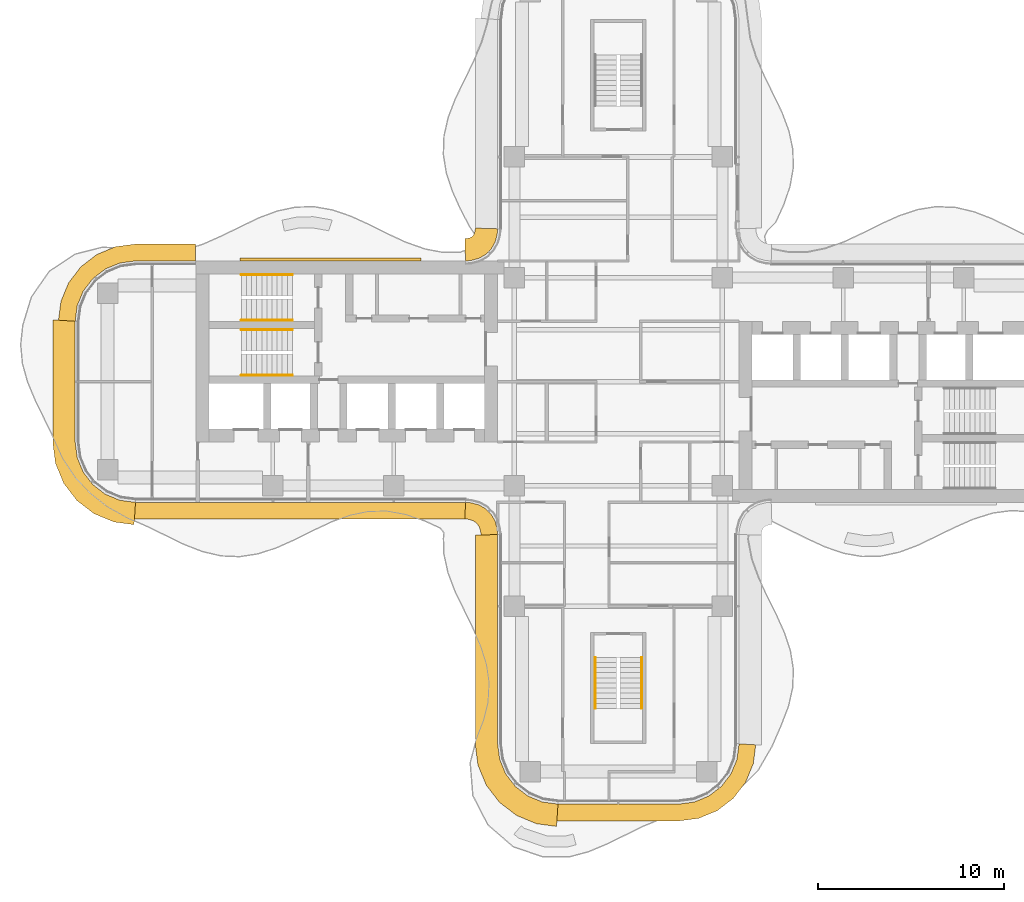
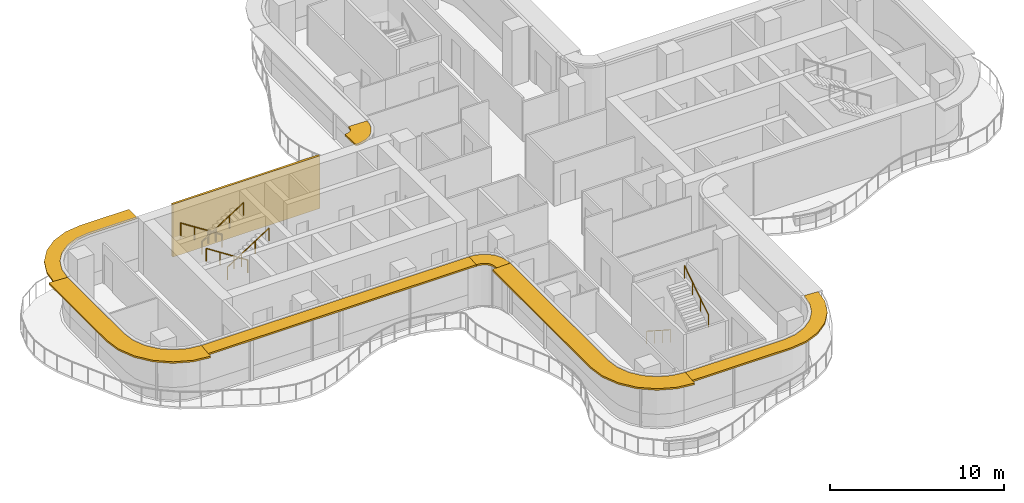
# One storey, part 15 of 16: 7 shading devices, 6 railings, 1 covering.
"""IFC4 building model written with IfcOpenShell, lengths in metres."""

from ifc_helpers import new_model, si_unit, direction, frame, origin, origin_2d, place, context, subcontext, project, spatial, polyline, circle, outline, extrude, source, transform, mapped, material, layer, layer_set, type_object, element, save


model = new_model("IFC4")

# Units and contexts
model_context = context("Model", 3, precision=1e-05, world=origin(), true_north=direction((0.0, 1.0)))
body_context = subcontext(model_context, "Body", "Model", "MODEL_VIEW")
ifc_project = project(units=[si_unit("LENGTHUNIT", "METRE"), si_unit("AREAUNIT", "SQUARE_METRE"), si_unit("VOLUMEUNIT", "CUBIC_METRE"), si_unit("PLANEANGLEUNIT", "RADIAN"), si_unit("MASSUNIT", "GRAM", prefix="KILO")], contexts=[model_context])

# Site, building, storey
site_placement = place(None, origin())
site = spatial("IfcSite", under=ifc_project, at=site_placement, CompositionType="ELEMENT")
building_placement = place(site_placement, origin())
building = spatial("IfcBuilding", under=site, at=building_placement, Name="Trellis Farm Tower", CompositionType="ELEMENT")
storey_placement = place(building_placement, frame((0.0, 0.0, 255.800048828125)))
storey = spatial("IfcBuildingStorey", under=building, at=storey_placement, Name="L57", CompositionType="ELEMENT", Elevation=255.800048828125)

# Railings
ifc_material_1 = material(Name="Stainless steel", Category="steel")
railing_type = type_object("IfcRailingType", Name="STAIR HANDRAIL 900", PredefinedType="HANDRAIL", material=ifc_material_1)
shared_shape_1 = source(origin(), body_context, "Body", "SweptSolid", [
    extrude(circle(Radius=0.02392578125, at=origin_2d()), frame((0.0, 0.0, 0.8759765625), z_axis=(0.0, 0.840503830235, 0.541805602924), x_axis=(-1.0, 0.0, 0.0)), (0.0, 0.0, 1.0), 3.271728515625),
    extrude(circle(Radius=0.02099609375, at=origin_2d()), origin(), (0.0, 0.0, 1.0), 0.851806640625),
    extrude(circle(Radius=0.02099609375, at=origin_2d()), frame((0.0, 0.916748046875, 0.5908203125)), (0.0, 0.0, 1.0), 0.851806640625),
    extrude(circle(Radius=0.02099609375, at=origin_2d()), frame((0.0, 1.833251953125, 1.181884765625)), (0.0, 0.0, 1.0), 0.851806640625),
    extrude(circle(Radius=0.02099609375, at=origin_2d()), frame((0.0, 2.75, 1.772705078125)), (0.0, 0.0, 1.0), 0.851806640625),
])
railing_1_placement = place(storey_placement, frame((1.25, -17.60009765625, 2.127197265625)))
element("IfcRailing", 1, at=railing_1_placement, inside=storey, type_object=railing_type, Name="Stair handrail", PredefinedType="HANDRAIL", context=body_context, shape_type="MappedRepresentation", body=[
    mapped(shared_shape_1, transform((0.0, 0.0, 0.0))),
])
shared_shape_2 = source(origin(), body_context, "Body", "SweptSolid", [
    extrude(circle(Radius=0.02392578125, at=origin_2d()), frame((0.0, 0.0, 0.8759765625), z_axis=(0.0, -0.840503830235, 0.541805602924), x_axis=(1.0, 0.0, 0.0)), (0.0, 0.0, 1.0), 3.271728515625),
    extrude(circle(Radius=0.02099609375, at=origin_2d()), origin(), (0.0, 0.0, 1.0), 0.851806640625),
    extrude(circle(Radius=0.02099609375, at=origin_2d()), frame((0.0, -0.916748046875, 0.5908203125)), (0.0, 0.0, 1.0), 0.851806640625),
    extrude(circle(Radius=0.02099609375, at=origin_2d()), frame((0.0, -1.833251953125, 1.181884765625)), (0.0, 0.0, 1.0), 0.851806640625),
    extrude(circle(Radius=0.02099609375, at=origin_2d()), frame((0.0, -2.75, 1.772705078125)), (0.0, 0.0, 1.0), 0.851806640625),
])
railing_2_placement = place(storey_placement, frame((-1.25, -14.85009765625, 0.17724609375)))
element("IfcRailing", 2, at=railing_2_placement, inside=storey, type_object=railing_type, Name="Stair handrail", PredefinedType="HANDRAIL", context=body_context, shape_type="MappedRepresentation", body=[
    mapped(shared_shape_2, transform((0.0, 0.0, 0.0))),
])
shared_shape_3 = source(origin(), body_context, "Body", "SweptSolid", [
    extrude(circle(Radius=0.02392578125, at=origin_2d()), frame((0.0, 0.0, 0.8759765625), z_axis=(0.840503830235, 0.0, 0.541805602924), x_axis=(0.0, 1.0, 0.0)), (0.0, 0.0, 1.0), 3.271728515625),
    extrude(circle(Radius=0.02099609375, at=origin_2d()), origin(), (0.0, 0.0, 1.0), 0.851806640625),
    extrude(circle(Radius=0.02099609375, at=origin_2d()), frame((0.916748046875, 0.0, 0.5908203125)), (0.0, 0.0, 1.0), 0.851806640625),
    extrude(circle(Radius=0.02099609375, at=origin_2d()), frame((1.833251953125, 0.0, 1.181884765625)), (0.0, 0.0, 1.0), 0.851806640625),
    extrude(circle(Radius=0.02099609375, at=origin_2d()), frame((2.75, 0.0, 1.772705078125)), (0.0, 0.0, 1.0), 0.851806640625),
])
for number, where, name in (
    (3, (-20.300048828125, 3.300048828125, 2.127197265625), "Stair handrail"),
    (4, (-20.300048828125, 0.35009765625, 2.127197265625), "Stair handrail"),
):
    element("IfcRailing", number, at=place(storey_placement, frame(where)), inside=storey, type_object=railing_type, Name=name, PredefinedType="HANDRAIL", context=body_context, shape_type="MappedRepresentation", body=[
        mapped(shared_shape_3, transform((0.0, 0.0, 0.0))),
    ])
shared_shape_4 = source(origin(), body_context, "Body", "SweptSolid", [
    extrude(circle(Radius=0.02392578125, at=origin_2d()), frame((0.0, 0.0, 0.8759765625), z_axis=(-0.840503830235, 0.0, 0.541805602924), x_axis=(0.0, -1.0, 0.0)), (0.0, 0.0, 1.0), 3.271728515625),
    extrude(circle(Radius=0.02099609375, at=origin_2d()), origin(), (0.0, 0.0, 1.0), 0.851806640625),
    extrude(circle(Radius=0.02099609375, at=origin_2d()), frame((-0.916748046875, 0.0, 0.5908203125)), (0.0, 0.0, 1.0), 0.851806640625),
    extrude(circle(Radius=0.02099609375, at=origin_2d()), frame((-1.833251953125, 0.0, 1.181884765625)), (0.0, 0.0, 1.0), 0.851806640625),
    extrude(circle(Radius=0.02099609375, at=origin_2d()), frame((-2.75, 0.0, 1.772705078125)), (0.0, 0.0, 1.0), 0.851806640625),
])
for number, where, name in (
    (5, (-17.550048828125, 5.75, 0.17724609375), "Stair handrail"),
    (6, (-17.550048828125, 2.800048828125, 0.17724609375), "Stair handrail"),
):
    element("IfcRailing", number, at=place(storey_placement, frame(where)), inside=storey, type_object=railing_type, Name=name, PredefinedType="HANDRAIL", context=body_context, shape_type="MappedRepresentation", body=[
        mapped(shared_shape_4, transform((0.0, 0.0, 0.0))),
    ])

# Shading devices
ifc_material_2 = material(Name="Aluminium extrusion 6063-T6", Category="aluminium")
ifc_layer_1 = layer(ifc_material_2, 0.1201171875)
ifc_layer_set_1 = layer_set([ifc_layer_1], Name="SUNSHADE BLADE 900")
shading_device_type_1 = type_object("IfcShadingDeviceType", Name="SUNSHADE BLADE 900", PredefinedType="USERDEFINED", material=ifc_layer_set_1)
shared_shape_5 = source(origin(), body_context, "Body", "SweptSolid", [
    extrude(outline(polyline([(-8.2607421875, -7.39990234375), (-8.107666015625, -7.409912109375), (-8.091552734375, -7.412109375), (-7.85595703125, -7.475341796875), (-7.697021484375, -7.567138671875), (-7.567138671875, -7.697021484375), (-7.475341796875, -7.85595703125), (-7.412109375, -8.091552734375), (-7.409912109375, -8.107666015625), (-7.39990234375, -8.2607421875), (-6.5, -8.2314453125), (-6.513916015625, -8.01953125), (-6.527587890625, -7.91552734375), (-6.63671875, -7.508544921875), (-6.846923828125, -7.144287109375), (-7.144287109375, -6.846923828125), (-7.508544921875, -6.63671875), (-7.91552734375, -6.527587890625), (-8.01953125, -6.513916015625), (-8.2314453125, -6.5), (-8.2607421875, -7.39990234375)])), origin(), (0.0, 0.0, 1.0), 0.119873046875),
])
placement = place(storey_placement, frame((0.0, 0.0, 3.5400390625)))
element("IfcShadingDevice", 7, at=placement, inside=storey, type_object=shading_device_type_1, Name="SD1 002", ObjectType="SUNSHADE", PredefinedType="USERDEFINED", context=body_context, shape_type="MappedRepresentation", body=[
    mapped(shared_shape_5, transform((0.0, 0.0, 0.0))),
])
ifc_layer_2 = layer(ifc_material_2, 0.1201171875)
ifc_layer_set_2 = layer_set([ifc_layer_2], Name="SUNSHADE BLADE 1200")
shading_device_type_2 = type_object("IfcShadingDeviceType", Name="SUNSHADE BLADE 1200", PredefinedType="USERDEFINED", material=ifc_layer_set_2)
shared_shape_6 = source(origin(), body_context, "Body", "SweptSolid", [
    extrude(outline(polyline([(-7.699951171875, 8.270751953125), (-7.708740234375, 8.13720703125), (-7.70703125, 8.150146484375), (-7.7548828125, 7.9716796875), (-7.80712890625, 7.881103515625), (-7.881103515625, 7.80712890625), (-7.9716796875, 7.7548828125), (-8.150146484375, 7.70703125), (-8.13720703125, 7.708740234375), (-8.270751953125, 7.699951171875), (-8.2314453125, 6.5), (-8.01953125, 6.513916015625), (-7.91552734375, 6.527587890625), (-7.508544921875, 6.63671875), (-7.144287109375, 6.846923828125), (-6.846923828125, 7.144287109375), (-6.63671875, 7.508544921875), (-6.527587890625, 7.91552734375), (-6.513916015625, 8.01953125), (-6.5, 8.2314453125), (-7.699951171875, 8.270751953125)])), origin(), (0.0, 0.0, 1.0), 0.119873046875),
])
element("IfcShadingDevice", 8, at=placement, inside=storey, type_object=shading_device_type_2, Name="SD2 014", ObjectType="SUNSHADE", PredefinedType="USERDEFINED", context=body_context, shape_type="MappedRepresentation", body=[
    mapped(shared_shape_6, transform((0.0, 0.0, 0.0))),
])
shared_shape_7 = source(origin(), body_context, "Body", "SweptSolid", [
    extrude(outline(polyline([(-26.05908203125, -7.39990234375), (-8.2607421875, -7.39990234375), (-8.2314453125, -6.5), (-26.0, -6.5), (-26.05908203125, -7.39990234375)])), origin(), (0.0, 0.0, 1.0), 0.119873046875),
])
element("IfcShadingDevice", 9, at=placement, inside=storey, type_object=shading_device_type_1, Name="SD1 001", ObjectType="SUNSHADE", PredefinedType="USERDEFINED", context=body_context, shape_type="MappedRepresentation", body=[
    mapped(shared_shape_7, transform((0.0, 0.0, 0.0))),
])
shared_shape_8 = source(origin(), body_context, "Body", "SweptSolid", [
    extrude(outline(polyline([(-22.780029296875, 7.39990234375), (-26.05908203125, 7.39990234375), (-27.076171875, 7.26611328125), (-28.078857421875, 6.850830078125), (-28.93994140625, 6.18994140625), (-29.600830078125, 5.328857421875), (-30.01611328125, 4.326171875), (-30.14990234375, 3.30908203125), (-29.25, 3.25), (-29.13916015625, 4.091064453125), (-28.814697265625, 4.875), (-28.298095703125, 5.548095703125), (-27.625, 6.064697265625), (-26.841064453125, 6.38916015625), (-26.0, 6.5), (-22.780029296875, 6.5), (-22.780029296875, 7.39990234375)])), origin(), (0.0, 0.0, 1.0), 0.119873046875),
])
element("IfcShadingDevice", 10, at=placement, inside=storey, type_object=shading_device_type_1, Name="SD1 015", ObjectType="SUNSHADE", PredefinedType="USERDEFINED", context=body_context, shape_type="MappedRepresentation", body=[
    mapped(shared_shape_8, transform((0.0, 0.0, 0.0))),
])
shared_shape_9 = source(origin(), body_context, "Body", "SweptSolid", [
    extrude(outline(polyline([(-30.449951171875, 3.32861328125), (-30.449951171875, -3.32861328125), (-30.308349609375, -4.404541015625), (-29.86279296875, -5.480224609375), (-29.154052734375, -6.404052734375), (-28.230224609375, -7.11279296875), (-27.154541015625, -7.558349609375), (-26.07861328125, -7.699951171875), (-26.0, -6.5), (-26.841064453125, -6.38916015625), (-27.625, -6.064697265625), (-28.298095703125, -5.548095703125), (-28.814697265625, -4.875), (-29.13916015625, -4.091064453125), (-29.25, -3.25), (-29.25, 3.25), (-30.449951171875, 3.32861328125)])), origin(), (0.0, 0.0, 1.0), 0.119873046875),
])
element("IfcShadingDevice", 11, at=placement, inside=storey, type_object=shading_device_type_2, Name="SD2 016", ObjectType="SUNSHADE", PredefinedType="USERDEFINED", context=body_context, shape_type="MappedRepresentation", body=[
    mapped(shared_shape_9, transform((0.0, 0.0, 0.0))),
])

# Covering
ifc_material_3 = material(Name="Perforated precast screen (cobogo)", Category="concrete")
ifc_layer_3 = layer(ifc_material_3, 0.14990234375)
ifc_layer_set_3 = layer_set([ifc_layer_3], Name="COBOGO SCREEN PANEL")
covering_type = type_object("IfcCoveringType", Name="COBOGO SCREEN PANEL", PredefinedType="USERDEFINED", material=ifc_layer_set_3)
shared_shape_10 = source(origin(), body_context, "Body", "SweptSolid", [
    extrude(outline(polyline([(-10.630615234375, 6.64990234375), (-20.380615234375, 6.64990234375), (-20.380615234375, 6.5), (-10.630615234375, 6.5), (-10.630615234375, 6.64990234375)])), origin(), (0.0, 0.0, 1.0), 3.699951171875),
])
covering_placement = place(storey_placement, origin())
element("IfcCovering", 12, at=covering_placement, inside=storey, type_object=covering_type, Name="SC1 02", ObjectType="SCREEN", PredefinedType="USERDEFINED", context=body_context, shape_type="MappedRepresentation", body=[
    mapped(shared_shape_10, transform((0.0, 0.0, 0.0))),
])

# Shading devices
shared_shape_11 = source(origin(), body_context, "Body", "SweptSolid", [
    extrude(outline(polyline([(-7.699951171875, -8.270751953125), (-7.699951171875, -19.57861328125), (-7.558349609375, -20.654541015625), (-7.11279296875, -21.730224609375), (-6.404052734375, -22.654052734375), (-5.480224609375, -23.36279296875), (-4.404541015625, -23.808349609375), (-3.32861328125, -23.949951171875), (-3.25, -22.75), (-4.091064453125, -22.63916015625), (-4.875, -22.314697265625), (-5.548095703125, -21.798095703125), (-6.064697265625, -21.125), (-6.38916015625, -20.341064453125), (-6.5, -19.5), (-6.5, -8.2314453125), (-7.699951171875, -8.270751953125)])), origin(), (0.0, 0.0, 1.0), 0.119873046875),
])
element("IfcShadingDevice", 13, at=placement, inside=storey, type_object=shading_device_type_2, Name="SD2 003", ObjectType="SUNSHADE", PredefinedType="USERDEFINED", context=body_context, shape_type="MappedRepresentation", body=[
    mapped(shared_shape_11, transform((0.0, 0.0, 0.0))),
])
shared_shape_12 = source(origin(), body_context, "Body", "SweptSolid", [
    extrude(outline(polyline([(-3.30908203125, -23.64990234375), (3.30908203125, -23.64990234375), (4.326171875, -23.51611328125), (5.328857421875, -23.100830078125), (6.18994140625, -22.43994140625), (6.850830078125, -21.578857421875), (7.26611328125, -20.576171875), (7.39990234375, -19.55908203125), (6.5, -19.5), (6.38916015625, -20.341064453125), (6.064697265625, -21.125), (5.548095703125, -21.798095703125), (4.875, -22.314697265625), (4.091064453125, -22.63916015625), (3.25, -22.75), (-3.25, -22.75), (-3.30908203125, -23.64990234375)])), origin(), (0.0, 0.0, 1.0), 0.119873046875),
])
element("IfcShadingDevice", 14, at=placement, inside=storey, type_object=shading_device_type_1, Name="SD1 004", ObjectType="SUNSHADE", PredefinedType="USERDEFINED", context=body_context, shape_type="MappedRepresentation", body=[
    mapped(shared_shape_12, transform((0.0, 0.0, 0.0))),
])

save(model, "model.ifc")
